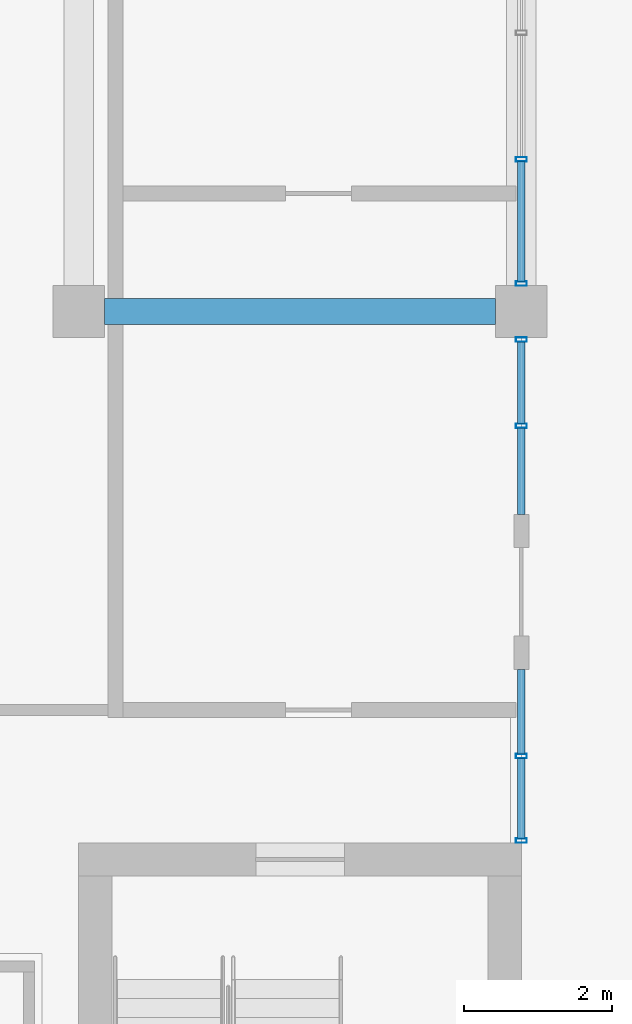
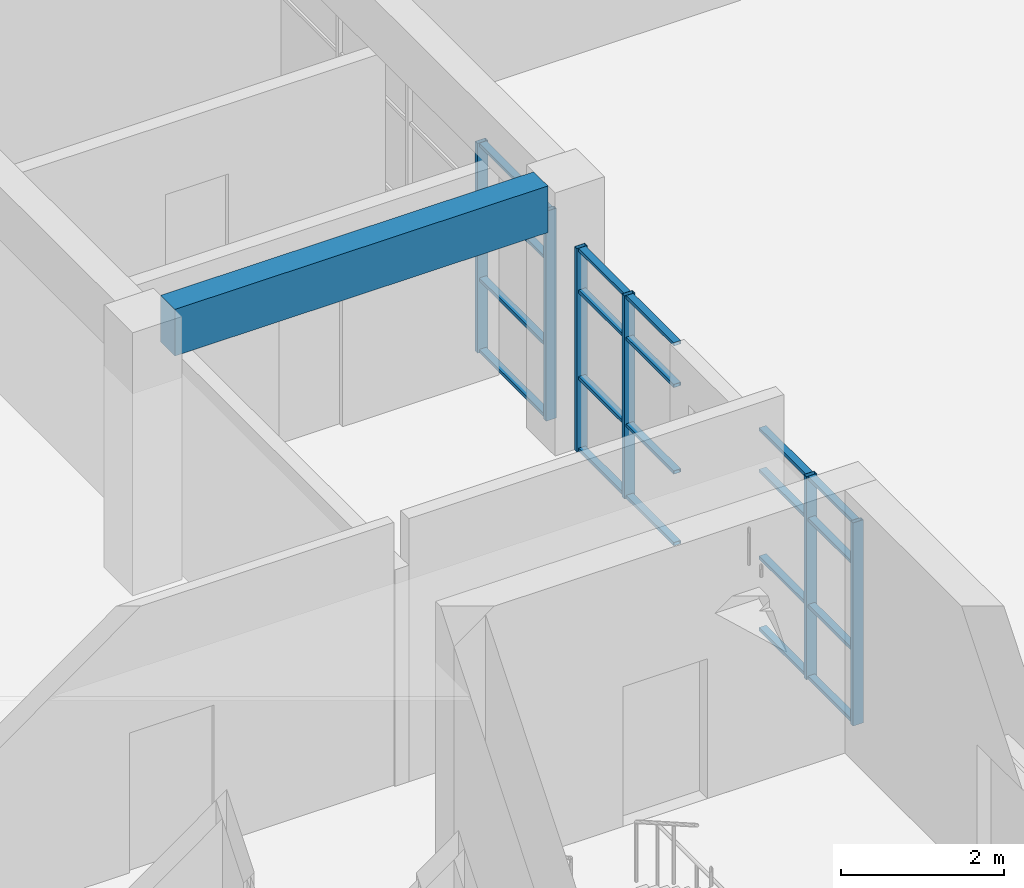
# One storey, part 36 of 103: 26 members, 1 beam, 3 elements without a shape of their own.
"""IFC4 building model written with IfcOpenShell, lengths in metres."""

from ifc_helpers import new_model, si_unit, direction, frame, origin, origin_2d, place, context, subcontext, project, spatial, rectangle, hollow_rectangle, extrude, material, material_profile, profile_set, type_object, element, aggregate, save


model = new_model("IFC4")

# Units and contexts
model_context = context("Model", 3, precision=1e-05, world=origin(), true_north=direction((0.0, 1.0)))
body_context = subcontext(model_context, "Body", "Model", "MODEL_VIEW")
ifc_project = project(units=[si_unit("LENGTHUNIT", "METRE"), si_unit("AREAUNIT", "SQUARE_METRE"), si_unit("VOLUMEUNIT", "CUBIC_METRE"), si_unit("PLANEANGLEUNIT", "RADIAN"), si_unit("MASSUNIT", "GRAM", prefix="KILO")], contexts=[model_context])

# Site, building, storey
site_placement = place(None, origin())
site = spatial("IfcSite", under=ifc_project, at=site_placement, CompositionType="ELEMENT")
building_placement = place(site_placement, origin())
building = spatial("IfcBuilding", under=site, at=building_placement, Name="Laocheng Heights Fire and Rescue Headquarters", CompositionType="ELEMENT")
storey_placement = place(building_placement, frame((0.0, 0.0, 4.199951171875)))
storey = spatial("IfcBuildingStorey", under=building, at=storey_placement, Name="L01", CompositionType="ELEMENT", Elevation=4.199951171875)

# Curtain wall, members
ifc_material_1 = material(Name="Dark anodised aluminium unitised curtain wall, low-e double glazing", Category="aluminium")
curtain_wall_type_1 = type_object("IfcCurtainWallType", Name="CW 2350 x 3050 CREW COURT GLAZING", PredefinedType="NOTDEFINED", material=ifc_material_1)
curtain_wall_1_placement = place(storey_placement, origin())
curtain_wall_1 = element("IfcCurtainWall", 1, at=curtain_wall_1_placement, inside=storey, type_object=curtain_wall_type_1, Name="X6-W CREW EAST L01", PredefinedType="NOTDEFINED")
ifc_material_2 = material(Name="Dark anodised aluminium 6063-T5 extrusion", Category="aluminium")
ifc_material_profile_1 = material_profile(ifc_material_2, hollow_rectangle(XDim=0.14990234375, YDim=0.06005859375, WallThickness=0.0029296875, at=origin_2d()), Name="AL MULLION 150x60x3 CREW COURT GLAZING")
ifc_profile_set_1 = profile_set([ifc_material_profile_1], Name="Dark anodised aluminium 6063-T5 extrusion")
member_type_1 = type_object("IfcMemberType", Name="AL MULLION 150x60x3 CREW COURT GLAZING", PredefinedType="MULLION", material=ifc_profile_set_1)
member_1_placement = place(storey_placement, frame((108.0, 43.22998046875, 0.0), z_axis=(0.0, 0.0, 1.0), x_axis=(-1.0, 0.0, 0.0)))
member_1 = element("IfcMember", 2, at=member_1_placement, type_object=member_type_1, Name="X6-W mullion 1", PredefinedType="MULLION", context=body_context, shape_type="SweptSolid", body=[
    extrude(hollow_rectangle(XDim=0.14990234375, YDim=0.06005859375, WallThickness=0.0029296875, at=origin_2d()), origin(), (0.0, 0.0, 1.0), 3.050048828125),
])
member_2_placement = place(storey_placement, frame((108.0, 44.375, 0.0), z_axis=(0.0, 0.0, 1.0), x_axis=(-1.0, 0.0, 0.0)))
member_2 = element("IfcMember", 3, at=member_2_placement, type_object=member_type_1, Name="X6-W mullion 2", PredefinedType="MULLION", context=body_context, shape_type="SweptSolid", body=[
    extrude(hollow_rectangle(XDim=0.14990234375, YDim=0.06005859375, WallThickness=0.0029296875, at=origin_2d()), origin(), (0.0, 0.0, 1.0), 3.050048828125),
])

ifc_material_3 = material(Name="Dark anodised aluminium unitised curtain wall, low-e double glazing", Category="aluminium")
curtain_wall_type_2 = type_object("IfcCurtainWallType", Name="CW 2400 x 3050 CREW COURT GLAZING", PredefinedType="NOTDEFINED", material=ifc_material_3)
curtain_wall_2_placement = place(storey_placement, origin())
curtain_wall_2 = element("IfcCurtainWall", 4, at=curtain_wall_2_placement, inside=storey, type_object=curtain_wall_type_2, Name="X7-W CREW EAST L01", PredefinedType="NOTDEFINED")
member_3_placement = place(storey_placement, frame((108.0, 48.85009765625, 0.0), z_axis=(0.0, 0.0, 1.0), x_axis=(-1.0, 0.0, 0.0)))
member_3 = element("IfcMember", 5, at=member_3_placement, type_object=member_type_1, Name="X7-W mullion 2", PredefinedType="MULLION", context=body_context, shape_type="SweptSolid", body=[
    extrude(hollow_rectangle(XDim=0.14990234375, YDim=0.06005859375, WallThickness=0.0029296875, at=origin_2d()), origin(), (0.0, 0.0, 1.0), 3.050048828125),
])
member_4_placement = place(storey_placement, frame((108.0, 50.02001953125, 0.0), z_axis=(0.0, 0.0, 1.0), x_axis=(-1.0, 0.0, 0.0)))
member_4 = element("IfcMember", 6, at=member_4_placement, type_object=member_type_1, Name="X7-W mullion 3", PredefinedType="MULLION", context=body_context, shape_type="SweptSolid", body=[
    extrude(hollow_rectangle(XDim=0.14990234375, YDim=0.06005859375, WallThickness=0.0029296875, at=origin_2d()), origin(), (0.0, 0.0, 1.0), 3.050048828125),
])

ifc_material_4 = material(Name="Dark anodised aluminium unitised curtain wall, low-e double glazing", Category="aluminium")
curtain_wall_type_3 = type_object("IfcCurtainWallType", Name="CW 6850 x 3150 CREW COURT GLAZING", PredefinedType="NOTDEFINED", material=ifc_material_4)
curtain_wall_3_placement = place(storey_placement, origin())
curtain_wall_3 = element("IfcCurtainWall", 7, at=curtain_wall_3_placement, inside=storey, type_object=curtain_wall_type_3, Name="X8-W CREW EAST L01", PredefinedType="NOTDEFINED")
member_5_placement = place(storey_placement, frame((108.0, 50.780029296875, 0.0), z_axis=(0.0, 0.0, 1.0), x_axis=(-1.0, 0.0, 0.0)))
member_5 = element("IfcMember", 8, at=member_5_placement, type_object=member_type_1, Name="X8-W mullion 1", PredefinedType="MULLION", context=body_context, shape_type="SweptSolid", body=[
    extrude(hollow_rectangle(XDim=0.14990234375, YDim=0.06005859375, WallThickness=0.0029296875, at=origin_2d()), origin(), (0.0, 0.0, 1.0), 3.150146484375),
])
member_6_placement = place(storey_placement, frame((108.0, 52.46240234375, 0.0), z_axis=(0.0, 0.0, 1.0), x_axis=(-1.0, 0.0, 0.0)))
member_6 = element("IfcMember", 9, at=member_6_placement, type_object=member_type_1, Name="X8-W mullion 2", PredefinedType="MULLION", context=body_context, shape_type="SweptSolid", body=[
    extrude(hollow_rectangle(XDim=0.14990234375, YDim=0.06005859375, WallThickness=0.0029296875, at=origin_2d()), origin(), (0.0, 0.0, 1.0), 3.150146484375),
])

# Member
ifc_material_5 = material(Name="Dark anodised aluminium 6063-T5 extrusion", Category="aluminium")
ifc_material_profile_2 = material_profile(ifc_material_5, hollow_rectangle(XDim=0.10009765625, YDim=0.050048828125, WallThickness=0.0029296875, at=origin_2d()), Name="AL TRANSOM 100x50x3 CREW COURT GLAZING")
ifc_profile_set_2 = profile_set([ifc_material_profile_2], Name="Dark anodised aluminium 6063-T5 extrusion")
member_type_2 = type_object("IfcMemberType", Name="AL TRANSOM 100x50x3 CREW COURT GLAZING", PredefinedType="USERDEFINED", material=ifc_profile_set_2)
member_7_placement = place(storey_placement, frame((108.0, 43.260009765625, 0.025146484375), z_axis=(0.0, 1.0, 0.0), x_axis=(-1.0, 0.0, 0.0)))
member_7 = element("IfcMember", 10, at=member_7_placement, type_object=member_type_2, Name="X6-W transom 1.1", ObjectType="TRANSOM", PredefinedType="USERDEFINED", context=body_context, shape_type="SweptSolid", body=[
    extrude(hollow_rectangle(XDim=0.10009765625, YDim=0.050048828125, WallThickness=0.0029296875, at=origin_2d()), origin(), (0.0, 0.0, 1.0), 1.0849609375),
])

member_8_placement = place(storey_placement, frame((108.0, 43.260009765625, 1.10009765625), z_axis=(0.0, 1.0, 0.0), x_axis=(-1.0, 0.0, 0.0)))
member_8 = element("IfcMember", 11, at=member_8_placement, type_object=member_type_2, Name="X6-W transom 1.2", ObjectType="TRANSOM", PredefinedType="USERDEFINED", context=body_context, shape_type="SweptSolid", body=[
    extrude(hollow_rectangle(XDim=0.10009765625, YDim=0.050048828125, WallThickness=0.0029296875, at=origin_2d()), origin(), (0.0, 0.0, 1.0), 1.0849609375),
])

member_9_placement = place(storey_placement, frame((108.0, 43.260009765625, 2.400146484375), z_axis=(0.0, 1.0, 0.0), x_axis=(-1.0, 0.0, 0.0)))
member_9 = element("IfcMember", 12, at=member_9_placement, type_object=member_type_2, Name="X6-W transom 1.3", ObjectType="TRANSOM", PredefinedType="USERDEFINED", context=body_context, shape_type="SweptSolid", body=[
    extrude(hollow_rectangle(XDim=0.10009765625, YDim=0.050048828125, WallThickness=0.0029296875, at=origin_2d()), origin(), (0.0, 0.0, 1.0), 1.0849609375),
])

member_10_placement = place(storey_placement, frame((108.0, 43.260009765625, 3.025146484375), z_axis=(0.0, 1.0, 0.0), x_axis=(-1.0, 0.0, 0.0)))
member_10 = element("IfcMember", 13, at=member_10_placement, type_object=member_type_2, Name="X6-W transom 1.4", ObjectType="TRANSOM", PredefinedType="USERDEFINED", context=body_context, shape_type="SweptSolid", body=[
    extrude(hollow_rectangle(XDim=0.10009765625, YDim=0.050048828125, WallThickness=0.0029296875, at=origin_2d()), origin(), (0.0, 0.0, 1.0), 1.0849609375),
])

member_11_placement = place(storey_placement, frame((108.0, 44.405029296875, 0.025146484375), z_axis=(0.0, 1.0, 0.0), x_axis=(-1.0, 0.0, 0.0)))
member_11 = element("IfcMember", 14, at=member_11_placement, type_object=member_type_2, Name="X6-W transom 2.1", ObjectType="TRANSOM", PredefinedType="USERDEFINED", context=body_context, shape_type="SweptSolid", body=[
    extrude(hollow_rectangle(XDim=0.10009765625, YDim=0.050048828125, WallThickness=0.0029296875, at=origin_2d()), origin(), (0.0, 0.0, 1.0), 1.14501953125),
])

member_12_placement = place(storey_placement, frame((108.0, 44.405029296875, 1.10009765625), z_axis=(0.0, 1.0, 0.0), x_axis=(-1.0, 0.0, 0.0)))
member_12 = element("IfcMember", 15, at=member_12_placement, type_object=member_type_2, Name="X6-W transom 2.2", ObjectType="TRANSOM", PredefinedType="USERDEFINED", context=body_context, shape_type="SweptSolid", body=[
    extrude(hollow_rectangle(XDim=0.10009765625, YDim=0.050048828125, WallThickness=0.0029296875, at=origin_2d()), origin(), (0.0, 0.0, 1.0), 1.14501953125),
])

member_13_placement = place(storey_placement, frame((108.0, 44.405029296875, 2.400146484375), z_axis=(0.0, 1.0, 0.0), x_axis=(-1.0, 0.0, 0.0)))
member_13 = element("IfcMember", 16, at=member_13_placement, type_object=member_type_2, Name="X6-W transom 2.3", ObjectType="TRANSOM", PredefinedType="USERDEFINED", context=body_context, shape_type="SweptSolid", body=[
    extrude(hollow_rectangle(XDim=0.10009765625, YDim=0.050048828125, WallThickness=0.0029296875, at=origin_2d()), origin(), (0.0, 0.0, 1.0), 1.14501953125),
])

member_14_placement = place(storey_placement, frame((108.0, 44.405029296875, 3.025146484375), z_axis=(0.0, 1.0, 0.0), x_axis=(-1.0, 0.0, 0.0)))
member_14 = element("IfcMember", 17, at=member_14_placement, type_object=member_type_2, Name="X6-W transom 2.4", ObjectType="TRANSOM", PredefinedType="USERDEFINED", context=body_context, shape_type="SweptSolid", body=[
    extrude(hollow_rectangle(XDim=0.10009765625, YDim=0.050048828125, WallThickness=0.0029296875, at=origin_2d()), origin(), (0.0, 0.0, 1.0), 1.14501953125),
])

aggregate(curtain_wall_1, [member_1, member_2, member_7, member_8, member_9, member_10, member_11, member_12, member_13, member_14])

member_15_placement = place(storey_placement, frame((108.0, 47.64990234375, 0.025146484375), z_axis=(0.0, 1.0, 0.0), x_axis=(-1.0, 0.0, 0.0)))
member_15 = element("IfcMember", 18, at=member_15_placement, type_object=member_type_2, Name="X7-W transom 1.1", ObjectType="TRANSOM", PredefinedType="USERDEFINED", context=body_context, shape_type="SweptSolid", body=[
    extrude(hollow_rectangle(XDim=0.10009765625, YDim=0.050048828125, WallThickness=0.0029296875, at=origin_2d()), origin(), (0.0, 0.0, 1.0), 1.170166015625),
])

member_16_placement = place(storey_placement, frame((108.0, 47.64990234375, 1.10009765625), z_axis=(0.0, 1.0, 0.0), x_axis=(-1.0, 0.0, 0.0)))
member_16 = element("IfcMember", 19, at=member_16_placement, type_object=member_type_2, Name="X7-W transom 1.2", ObjectType="TRANSOM", PredefinedType="USERDEFINED", context=body_context, shape_type="SweptSolid", body=[
    extrude(hollow_rectangle(XDim=0.10009765625, YDim=0.050048828125, WallThickness=0.0029296875, at=origin_2d()), origin(), (0.0, 0.0, 1.0), 1.170166015625),
])

member_17_placement = place(storey_placement, frame((108.0, 47.64990234375, 2.400146484375), z_axis=(0.0, 1.0, 0.0), x_axis=(-1.0, 0.0, 0.0)))
member_17 = element("IfcMember", 20, at=member_17_placement, type_object=member_type_2, Name="X7-W transom 1.3", ObjectType="TRANSOM", PredefinedType="USERDEFINED", context=body_context, shape_type="SweptSolid", body=[
    extrude(hollow_rectangle(XDim=0.10009765625, YDim=0.050048828125, WallThickness=0.0029296875, at=origin_2d()), origin(), (0.0, 0.0, 1.0), 1.170166015625),
])

member_18_placement = place(storey_placement, frame((108.0, 47.64990234375, 3.025146484375), z_axis=(0.0, 1.0, 0.0), x_axis=(-1.0, 0.0, 0.0)))
member_18 = element("IfcMember", 21, at=member_18_placement, type_object=member_type_2, Name="X7-W transom 1.4", ObjectType="TRANSOM", PredefinedType="USERDEFINED", context=body_context, shape_type="SweptSolid", body=[
    extrude(hollow_rectangle(XDim=0.10009765625, YDim=0.050048828125, WallThickness=0.0029296875, at=origin_2d()), origin(), (0.0, 0.0, 1.0), 1.170166015625),
])

member_19_placement = place(storey_placement, frame((108.0, 48.8798828125, 0.025146484375), z_axis=(0.0, 1.0, 0.0), x_axis=(-1.0, 0.0, 0.0)))
member_19 = element("IfcMember", 22, at=member_19_placement, type_object=member_type_2, Name="X7-W transom 2.1", ObjectType="TRANSOM", PredefinedType="USERDEFINED", context=body_context, shape_type="SweptSolid", body=[
    extrude(hollow_rectangle(XDim=0.10009765625, YDim=0.050048828125, WallThickness=0.0029296875, at=origin_2d()), origin(), (0.0, 0.0, 1.0), 1.110107421875),
])

member_20_placement = place(storey_placement, frame((108.0, 48.8798828125, 1.10009765625), z_axis=(0.0, 1.0, 0.0), x_axis=(-1.0, 0.0, 0.0)))
member_20 = element("IfcMember", 23, at=member_20_placement, type_object=member_type_2, Name="X7-W transom 2.2", ObjectType="TRANSOM", PredefinedType="USERDEFINED", context=body_context, shape_type="SweptSolid", body=[
    extrude(hollow_rectangle(XDim=0.10009765625, YDim=0.050048828125, WallThickness=0.0029296875, at=origin_2d()), origin(), (0.0, 0.0, 1.0), 1.110107421875),
])

member_21_placement = place(storey_placement, frame((108.0, 48.8798828125, 2.400146484375), z_axis=(0.0, 1.0, 0.0), x_axis=(-1.0, 0.0, 0.0)))
member_21 = element("IfcMember", 24, at=member_21_placement, type_object=member_type_2, Name="X7-W transom 2.3", ObjectType="TRANSOM", PredefinedType="USERDEFINED", context=body_context, shape_type="SweptSolid", body=[
    extrude(hollow_rectangle(XDim=0.10009765625, YDim=0.050048828125, WallThickness=0.0029296875, at=origin_2d()), origin(), (0.0, 0.0, 1.0), 1.110107421875),
])

member_22_placement = place(storey_placement, frame((108.0, 48.8798828125, 3.025146484375), z_axis=(0.0, 1.0, 0.0), x_axis=(-1.0, 0.0, 0.0)))
member_22 = element("IfcMember", 25, at=member_22_placement, type_object=member_type_2, Name="X7-W transom 2.4", ObjectType="TRANSOM", PredefinedType="USERDEFINED", context=body_context, shape_type="SweptSolid", body=[
    extrude(hollow_rectangle(XDim=0.10009765625, YDim=0.050048828125, WallThickness=0.0029296875, at=origin_2d()), origin(), (0.0, 0.0, 1.0), 1.110107421875),
])

aggregate(curtain_wall_2, [member_3, member_4, member_15, member_16, member_17, member_18, member_19, member_20, member_21, member_22])

member_23_placement = place(storey_placement, frame((108.0, 50.81005859375, 0.025146484375), z_axis=(0.0, 1.0, 0.0), x_axis=(-1.0, 0.0, 0.0)))
member_23 = element("IfcMember", 26, at=member_23_placement, type_object=member_type_2, Name="X8-W transom 1.1", ObjectType="TRANSOM", PredefinedType="USERDEFINED", context=body_context, shape_type="SweptSolid", body=[
    extrude(hollow_rectangle(XDim=0.10009765625, YDim=0.050048828125, WallThickness=0.0029296875, at=origin_2d()), origin(), (0.0, 0.0, 1.0), 1.62255859375),
])

member_24_placement = place(storey_placement, frame((108.0, 50.81005859375, 1.10009765625), z_axis=(0.0, 1.0, 0.0), x_axis=(-1.0, 0.0, 0.0)))
member_24 = element("IfcMember", 27, at=member_24_placement, type_object=member_type_2, Name="X8-W transom 1.2", ObjectType="TRANSOM", PredefinedType="USERDEFINED", context=body_context, shape_type="SweptSolid", body=[
    extrude(hollow_rectangle(XDim=0.10009765625, YDim=0.050048828125, WallThickness=0.0029296875, at=origin_2d()), origin(), (0.0, 0.0, 1.0), 1.62255859375),
])

member_25_placement = place(storey_placement, frame((108.0, 50.81005859375, 2.400146484375), z_axis=(0.0, 1.0, 0.0), x_axis=(-1.0, 0.0, 0.0)))
member_25 = element("IfcMember", 28, at=member_25_placement, type_object=member_type_2, Name="X8-W transom 1.3", ObjectType="TRANSOM", PredefinedType="USERDEFINED", context=body_context, shape_type="SweptSolid", body=[
    extrude(hollow_rectangle(XDim=0.10009765625, YDim=0.050048828125, WallThickness=0.0029296875, at=origin_2d()), origin(), (0.0, 0.0, 1.0), 1.62255859375),
])

member_26_placement = place(storey_placement, frame((108.0, 50.81005859375, 3.125), z_axis=(0.0, 1.0, 0.0), x_axis=(-1.0, 0.0, 0.0)))
member_26 = element("IfcMember", 29, at=member_26_placement, type_object=member_type_2, Name="X8-W transom 1.4", ObjectType="TRANSOM", PredefinedType="USERDEFINED", context=body_context, shape_type="SweptSolid", body=[
    extrude(hollow_rectangle(XDim=0.10009765625, YDim=0.050048828125, WallThickness=0.0029296875, at=origin_2d()), origin(), (0.0, 0.0, 1.0), 1.62255859375),
])

aggregate(curtain_wall_3, [member_5, member_6, member_23, member_24, member_25, member_26])

# Beam
ifc_material_6 = material(Name="Concrete C40", Category="concrete")
ifc_material_profile_3 = material_profile(ifc_material_6, rectangle(XDim=0.35009765625, YDim=0.699951171875, at=origin_2d()), Name="RC BEAM 350x700 CREW")
ifc_profile_set_3 = profile_set([ifc_material_profile_3], Name="Concrete C40")
beam_type = type_object("IfcBeamType", Name="RC BEAM 350x700 CREW", PredefinedType="BEAM", material=ifc_profile_set_3)
beam_placement = place(storey_placement, frame((102.35009765625, 50.39990234375, 3.60009765625), z_axis=(1.0, 0.0, 0.0), x_axis=(0.0, 1.0, 0.0)))
element("IfcBeam", 30, at=beam_placement, inside=storey, type_object=beam_type, Name="Crew beam L01", PredefinedType="BEAM", context=body_context, shape_type="SweptSolid", body=[
    extrude(rectangle(XDim=0.35009765625, YDim=0.699951171875, at=origin_2d()), origin(), (0.0, 0.0, 1.0), 5.2998046875),
])

save(model, "model.ifc")
